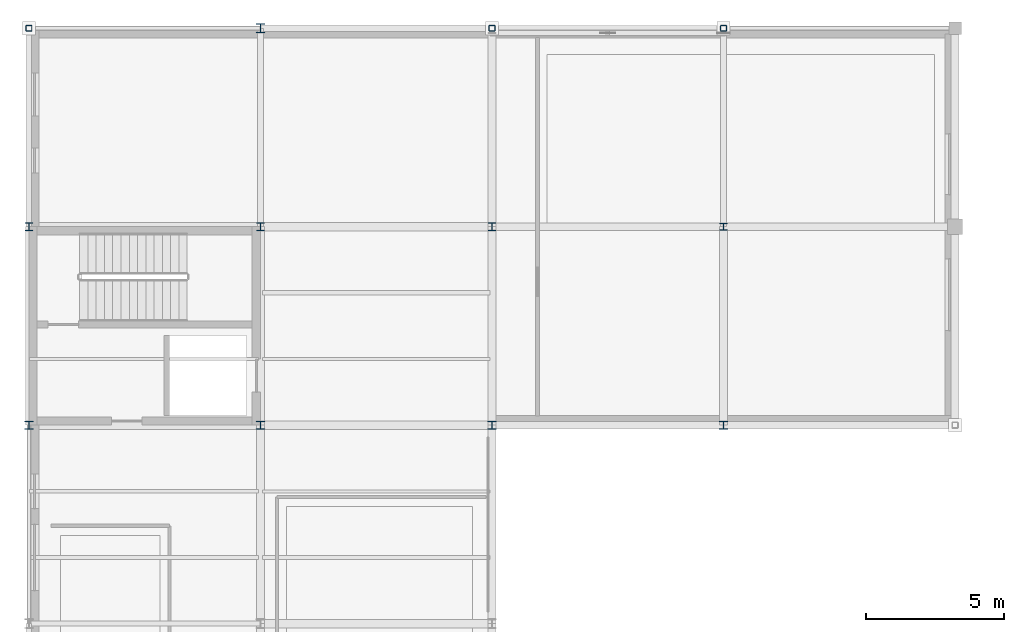
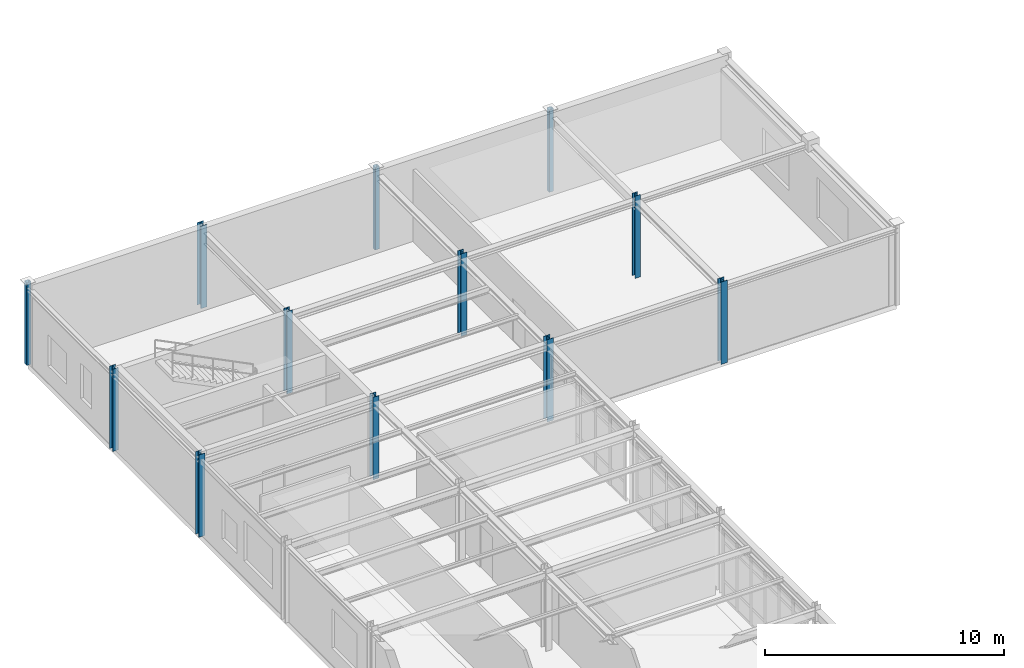
# One storey, part 14 of 90: 12 columns.
"""IFC4 building model written with IfcOpenShell, lengths in metres."""

from ifc_helpers import new_model, si_unit, derived_unit, direction, frame, origin, origin_2d, place, context, subcontext, project, spatial, hollow_rectangle, i_section, extrude, material, material_profile, profile_set, type_object, element, save


model = new_model("IFC4")

# Units and contexts
model_context = context("Model", 3, precision=1e-05, world=origin(), true_north=direction((0.0, 1.0)))
body_context = subcontext(model_context, "Body", "Model", "MODEL_VIEW")
ifc_project = project(units=[si_unit("LENGTHUNIT", "METRE"), si_unit("AREAUNIT", "SQUARE_METRE"), si_unit("VOLUMEUNIT", "CUBIC_METRE"), si_unit("PLANEANGLEUNIT", "RADIAN"), si_unit("MASSUNIT", "GRAM", prefix="KILO"), derived_unit("THERMALTRANSMITTANCEUNIT", [(si_unit("POWERUNIT", "WATT"), 1), (si_unit("AREAUNIT", "SQUARE_METRE"), -1), (si_unit("THERMODYNAMICTEMPERATUREUNIT", "KELVIN"), -1)])], contexts=[model_context])

# Site, building, storey
site_placement = place(None, origin())
site = spatial("IfcSite", under=ifc_project, at=site_placement, CompositionType="ELEMENT")
building_placement = place(site_placement, origin())
building = spatial("IfcBuilding", under=site, at=building_placement, Name="Yasenodar Specialist Clinic", CompositionType="ELEMENT")
storey_placement = place(building_placement, frame((0.0, 0.0, 9.0)))
storey = spatial("IfcBuildingStorey", under=building, at=storey_placement, Name="L02", CompositionType="ELEMENT", Elevation=9.0)

# Columns
ifc_material = material(Name="Steel S355", Category="steel")
ifc_material_profile_1 = material_profile(ifc_material, i_section(OverallWidth=0.260009765625, OverallDepth=0.25, WebThickness=0.007568359375, FlangeThickness=0.012451171875, FilletRadius=0.02392578125, at=origin_2d()), Name="HEA 260")
ifc_profile_set_1 = profile_set([ifc_material_profile_1], Name="Steel S355")
column_type_1 = type_object("IfcColumnType", Name="COL-ST-HEA260", PredefinedType="COLUMN", material=ifc_profile_set_1)
column_1_placement = place(storey_placement, frame((25.199951171875, 104.39990234375, 0.0), z_axis=(0.0, 0.0, 1.0), x_axis=(1.0, 0.0, 0.0)))
element("IfcColumn", 1, at=column_1_placement, inside=storey, type_object=column_type_1, Name="L02 Column V4-056", PredefinedType="COLUMN", context=body_context, shape_type="SweptSolid", body=[
    extrude(i_section(OverallWidth=0.260009765625, OverallDepth=0.25, WebThickness=0.007568359375, FlangeThickness=0.012451171875, FilletRadius=0.02392578125, at=origin_2d()), origin(), (0.0, 0.0, 1.0), 4.199951171875),
])
ifc_material_profile_2 = material_profile(ifc_material, i_section(OverallWidth=0.300048828125, OverallDepth=0.2900390625, WebThickness=0.008544921875, FlangeThickness=0.013916015625, FilletRadius=0.027099609375, at=origin_2d()), Name="HEA 300")
ifc_profile_set_2 = profile_set([ifc_material_profile_2], Name="Steel S355")
column_type_2 = type_object("IfcColumnType", Name="COL-ST-HEA300", PredefinedType="COLUMN", material=ifc_profile_set_2)
column_2_placement = place(storey_placement, frame((25.199951171875, 97.199951171875, 0.0), z_axis=(0.0, 0.0, 1.0), x_axis=(1.0, 0.0, 0.0)))
element("IfcColumn", 2, at=column_2_placement, inside=storey, type_object=column_type_2, Name="L02 Column V4-055", PredefinedType="COLUMN", context=body_context, shape_type="SweptSolid", body=[
    extrude(i_section(OverallWidth=0.300048828125, OverallDepth=0.2900390625, WebThickness=0.008544921875, FlangeThickness=0.013916015625, FilletRadius=0.027099609375, at=origin_2d()), origin(), (0.0, 0.0, 1.0), 4.199951171875),
])
ifc_material_profile_3 = material_profile(ifc_material, i_section(OverallWidth=0.300048828125, OverallDepth=0.330078125, WebThickness=0.009521484375, FlangeThickness=0.0166015625, FilletRadius=0.027099609375, at=origin_2d()), Name="HEA 340")
ifc_profile_set_3 = profile_set([ifc_material_profile_3], Name="Steel S355")
column_type_3 = type_object("IfcColumnType", Name="COL-ST-HEA340", PredefinedType="COLUMN", material=ifc_profile_set_3)
column_3_placement = place(storey_placement, frame((8.39990234375, 111.60009765625, 0.0), z_axis=(0.0, 0.0, 1.0), x_axis=(1.0, 0.0, 0.0)))
element("IfcColumn", 3, at=column_3_placement, inside=storey, type_object=column_type_3, Name="L02 Column V4-030", PredefinedType="COLUMN", context=body_context, shape_type="SweptSolid", body=[
    extrude(i_section(OverallWidth=0.300048828125, OverallDepth=0.330078125, WebThickness=0.009521484375, FlangeThickness=0.0166015625, FilletRadius=0.027099609375, at=origin_2d()), origin(), (0.0, 0.0, 1.0), 4.199951171875),
])
ifc_material_profile_4 = material_profile(ifc_material, i_section(OverallWidth=0.280029296875, OverallDepth=0.280029296875, WebThickness=0.010498046875, FlangeThickness=0.01806640625, FilletRadius=0.02392578125, at=origin_2d()), Name="HEB 280")
ifc_profile_set_4 = profile_set([ifc_material_profile_4], Name="Steel S355")
column_type_4 = type_object("IfcColumnType", Name="COL-ST-HEB280", PredefinedType="COLUMN", material=ifc_profile_set_4)
for number, where, z_axis, x_axis, name in (
    (4, (0.0, 104.39990234375, 0.0), (0.0, 0.0, 1.0), (1.0, 0.0, 0.0), "L02 Column V4-014"),
    (5, (8.39990234375, 104.39990234375, 0.0), (0.0, 0.0, 1.0), (1.0, 0.0, 0.0), "L02 Column V4-029"),
    (6, (16.800048828125, 104.39990234375, 0.0), (0.0, 0.0, 1.0), (1.0, 0.0, 0.0), "L02 Column V4-044"),
):
    element("IfcColumn", number, at=place(storey_placement, frame(where, z_axis=z_axis, x_axis=x_axis)), inside=storey, type_object=column_type_4, Name=name, PredefinedType="COLUMN", context=body_context, shape_type="SweptSolid", body=[
        extrude(i_section(OverallWidth=0.280029296875, OverallDepth=0.280029296875, WebThickness=0.010498046875, FlangeThickness=0.01806640625, FilletRadius=0.02392578125, at=origin_2d()), origin(), (0.0, 0.0, 1.0), 4.199951171875),
    ])
ifc_material_profile_5 = material_profile(ifc_material, i_section(OverallWidth=0.300048828125, OverallDepth=0.300048828125, WebThickness=0.010986328125, FlangeThickness=0.01904296875, FilletRadius=0.027099609375, at=origin_2d()), Name="HEB 300")
ifc_profile_set_5 = profile_set([ifc_material_profile_5], Name="Steel S355")
column_type_5 = type_object("IfcColumnType", Name="COL-ST-HEB300", PredefinedType="COLUMN", material=ifc_profile_set_5)
for number, where, z_axis, x_axis, name in (
    (7, (0.0, 97.199951171875, 0.0), (0.0, 0.0, 1.0), (1.0, 0.0, 0.0), "L02 Column V4-013"),
    (8, (8.39990234375, 97.199951171875, 0.0), (0.0, 0.0, 1.0), (1.0, 0.0, 0.0), "L02 Column V4-028"),
    (9, (16.800048828125, 97.199951171875, 0.0), (0.0, 0.0, 1.0), (1.0, 0.0, 0.0), "L02 Column V4-043"),
):
    element("IfcColumn", number, at=place(storey_placement, frame(where, z_axis=z_axis, x_axis=x_axis)), inside=storey, type_object=column_type_5, Name=name, PredefinedType="COLUMN", context=body_context, shape_type="SweptSolid", body=[
        extrude(i_section(OverallWidth=0.300048828125, OverallDepth=0.300048828125, WebThickness=0.010986328125, FlangeThickness=0.01904296875, FilletRadius=0.027099609375, at=origin_2d()), origin(), (0.0, 0.0, 1.0), 4.199951171875),
    ])
ifc_material_profile_6 = material_profile(ifc_material, hollow_rectangle(XDim=0.219970703125, YDim=0.219970703125, WallThickness=0.012451171875, InnerFilletRadius=0.018798828125, OuterFilletRadius=0.03125, at=origin_2d()), Name="SHS 220x220x12.5")
ifc_profile_set_6 = profile_set([ifc_material_profile_6], Name="Steel S355")
column_type_6 = type_object("IfcColumnType", Name="COL-ST-SHS220", PredefinedType="COLUMN", material=ifc_profile_set_6)
for number, where, z_axis, x_axis, name in (
    (10, (0.0, 111.60009765625, 0.0), (0.0, 0.0, 1.0), (1.0, 0.0, 0.0), "L02 Column V4-015"),
    (11, (16.800048828125, 111.60009765625, 0.0), (0.0, 0.0, 1.0), (1.0, 0.0, 0.0), "L02 Column V4-045"),
    (12, (25.199951171875, 111.60009765625, 0.0), (0.0, 0.0, 1.0), (1.0, 0.0, 0.0), "L02 Column V4-057"),
):
    element("IfcColumn", number, at=place(storey_placement, frame(where, z_axis=z_axis, x_axis=x_axis)), inside=storey, type_object=column_type_6, Name=name, PredefinedType="COLUMN", context=body_context, shape_type="SweptSolid", body=[
        extrude(hollow_rectangle(XDim=0.219970703125, YDim=0.219970703125, WallThickness=0.012451171875, InnerFilletRadius=0.018798828125, OuterFilletRadius=0.03125, at=origin_2d()), origin(), (0.0, 0.0, 1.0), 4.199951171875),
    ])

save(model, "model.ifc")
